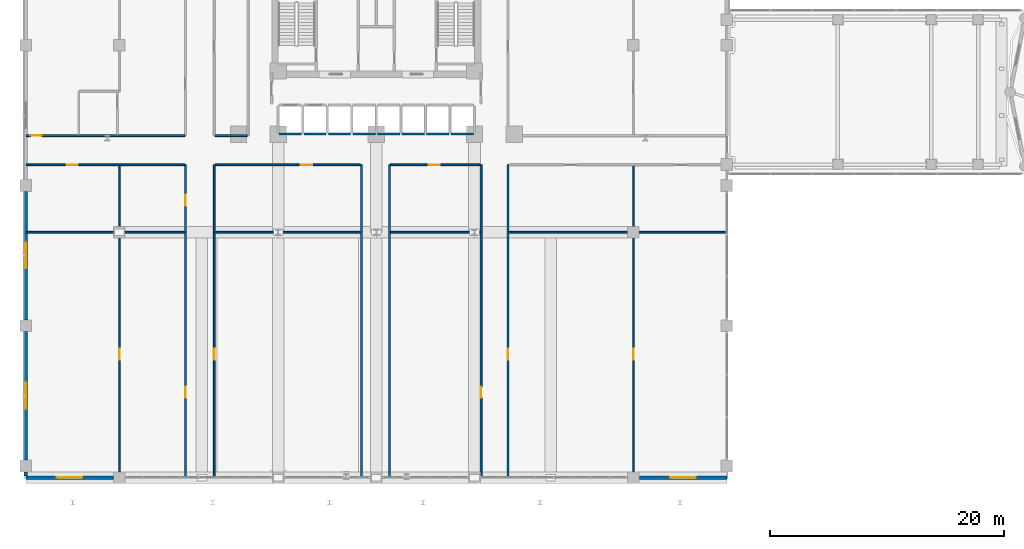
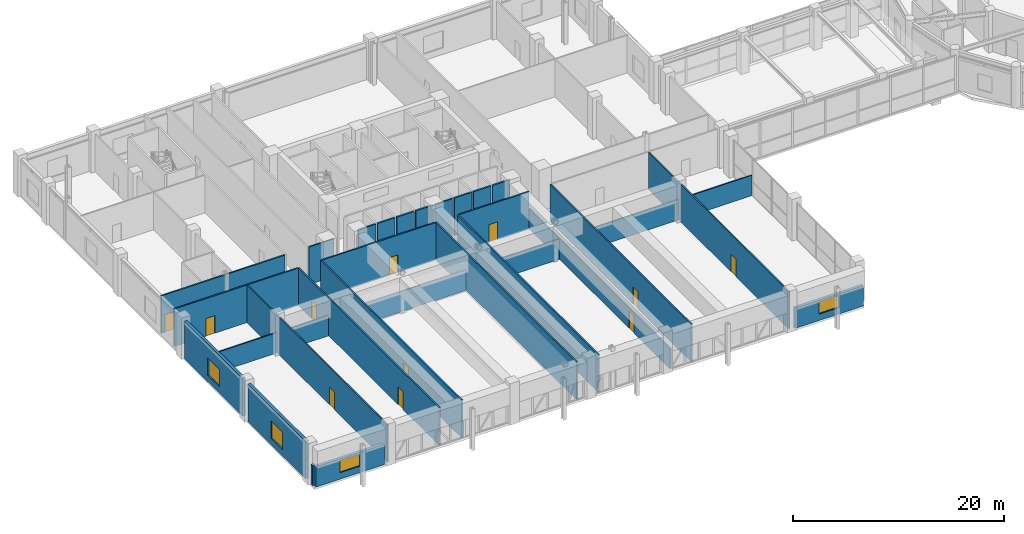
# One storey, part 30 of 44: 30 walls, 11 doors, 4 windows, 15 openings.
"""IFC4 building model written with IfcOpenShell, lengths in metres."""

from ifc_helpers import new_model, si_unit, derived_unit, direction, frame, frame_2d, origin, place, context, subcontext, project, spatial, rectangle, extrude, material, layer, layer_set, type_object, element, fill, save


model = new_model("IFC4")

# Units and contexts
model_context = context("Model", 3, precision=1e-05, world=origin(), true_north=direction((0.0, 1.0)))
body_context = subcontext(model_context, "Body", "Model", "MODEL_VIEW")
ifc_project = project(units=[si_unit("LENGTHUNIT", "METRE"), si_unit("AREAUNIT", "SQUARE_METRE"), si_unit("VOLUMEUNIT", "CUBIC_METRE"), si_unit("PLANEANGLEUNIT", "RADIAN"), si_unit("MASSUNIT", "GRAM", prefix="KILO"), derived_unit("THERMALTRANSMITTANCEUNIT", [(si_unit("POWERUNIT", "WATT"), 1), (si_unit("LENGTHUNIT", "METRE"), -2), (si_unit("THERMODYNAMICTEMPERATUREUNIT", "KELVIN"), -1)])], contexts=[model_context])

# Site, building, storey
site_placement = place(None, origin())
site = spatial("IfcSite", under=ifc_project, at=site_placement, CompositionType="ELEMENT")
building_placement = place(site_placement, origin())
building = spatial("IfcBuilding", under=site, at=building_placement, Name="Korsvarv Bourse and Concert Hall", CompositionType="ELEMENT")
storey_placement = place(building_placement, frame((0.0, 0.0, 9.60009765625)))
storey = spatial("IfcBuildingStorey", under=building, at=storey_placement, Name="L02", CompositionType="ELEMENT", Elevation=9.60009765625)

# Wall, opening, window
ifc_material_1 = material(Name="Precast concrete C45/55 with granite and terracotta", Category="concrete")
ifc_layer_1 = layer(ifc_material_1, 0.320068359375)
ifc_layer_set_1 = layer_set([ifc_layer_1], Name="Precast concrete C45/55 with granite and terracotta")
wall_type_1 = type_object("IfcWallType", Name="WL-EXT-POD", PredefinedType="SOLIDWALL", material=ifc_layer_set_1)
wall_1_placement = place(storey_placement, frame((6.0, 3.0, 0.0), z_axis=(0.0, 0.0, 1.0), x_axis=(1.0, 0.0, 0.0)))
wall_1 = element("IfcWall", 1, at=wall_1_placement, inside=storey, type_object=wall_type_1, Name="L02 terracotta exterior wall EW-L02-S1", PredefinedType="SOLIDWALL", context=body_context, shape_type="SweptSolid", body=[
    extrude(rectangle(XDim=7.4951171875, YDim=0.320068359375, at=frame_2d((3.74755859375, 0.0))), origin(), (0.0, 0.0, 1.0), 2.349853515625),
])
opening_1_placement = place(wall_1_placement, frame((2.6474609375, 0.0, 0.75)))
opening_1 = element("IfcOpeningElement", 2, at=opening_1_placement, cuts=wall_1, Name="Opening W-05", PredefinedType="OPENING", context=body_context, shape_type="SweptSolid", body=[
    extrude(rectangle(XDim=2.199951171875, YDim=1.39990234375, at=frame_2d((1.10009765625, 0.699951171875))), frame((0.0, 0.169921875, 0.0), z_axis=(0.0, -1.0, 0.0), x_axis=(1.0, 0.0, 0.0)), (0.0, 0.0, 1.0), 0.340087890625),
])
ifc_material_2 = material(Name="Thermally broken aluminium frame with triple low-E glass", Category="glass")
window_type_1 = type_object("IfcWindowType", Name="WIN-POD1-2200X1400", PartitioningType="SINGLE_PANEL", PredefinedType="WINDOW", material=ifc_material_2)
window_1_placement = place(opening_1_placement, origin())
window_1 = element("IfcWindow", 3, at=window_1_placement, inside=storey, type_object=window_type_1, Name="L02 punched facade window W-05", OverallHeight=1.39990234375, OverallWidth=2.199951171875, PartitioningType="SINGLE_PANEL", PredefinedType="WINDOW", context=body_context, shape_type="SweptSolid", body=[
    extrude(rectangle(XDim=2.199951171875, YDim=1.39990234375, at=frame_2d((1.10009765625, 0.699951171875))), frame((0.0, 0.030029296875, 0.0), z_axis=(0.0, -1.0, 0.0), x_axis=(1.0, 0.0, 0.0)), (0.0, 0.0, 1.0), 0.06005859375),
])
fill(opening_1, window_1)

wall_2_placement = place(storey_placement, frame((58.5048828125, 3.0, 0.0), z_axis=(0.0, 0.0, 1.0), x_axis=(1.0, 0.0, 0.0)))
wall_2 = element("IfcWall", 4, at=wall_2_placement, inside=storey, type_object=wall_type_1, Name="L02 terracotta exterior wall EW-L02-S6", PredefinedType="SOLIDWALL", context=body_context, shape_type="SweptSolid", body=[
    extrude(rectangle(XDim=7.4951171875, YDim=0.320068359375, at=frame_2d((3.74755859375, 0.0))), origin(), (0.0, 0.0, 1.0), 2.349853515625),
])
opening_2_placement = place(wall_2_placement, frame((2.6474609375, 0.0, 0.75)))
opening_2 = element("IfcOpeningElement", 5, at=opening_2_placement, cuts=wall_2, Name="Opening W-05", PredefinedType="OPENING", context=body_context, shape_type="SweptSolid", body=[
    extrude(rectangle(XDim=2.199951171875, YDim=1.39990234375, at=frame_2d((1.10009765625, 0.699951171875))), frame((0.0, 0.169921875, 0.0), z_axis=(0.0, -1.0, 0.0), x_axis=(1.0, 0.0, 0.0)), (0.0, 0.0, 1.0), 0.340087890625),
])
window_2_placement = place(opening_2_placement, origin())
window_2 = element("IfcWindow", 6, at=window_2_placement, inside=storey, type_object=window_type_1, Name="L02 punched facade window W-05", OverallHeight=1.39990234375, OverallWidth=2.199951171875, PartitioningType="SINGLE_PANEL", PredefinedType="WINDOW", context=body_context, shape_type="SweptSolid", body=[
    extrude(rectangle(XDim=2.199951171875, YDim=1.39990234375, at=frame_2d((1.10009765625, 0.699951171875))), frame((0.0, 0.030029296875, 0.0), z_axis=(0.0, -1.0, 0.0), x_axis=(1.0, 0.0, 0.0)), (0.0, 0.0, 1.0), 0.06005859375),
])
fill(opening_2, window_2)

# Wall
wall_3_placement = place(storey_placement, frame((6.0, 3.159912109375, 0.0), z_axis=(0.0, 0.0, 1.0), x_axis=(0.0, 1.0, 0.0)))
element("IfcWall", 7, at=wall_3_placement, inside=storey, type_object=wall_type_1, Name="L02 terracotta exterior wall EW-L02-W1-1", PredefinedType="SOLIDWALL", context=body_context, shape_type="SweptSolid", body=[
    extrude(rectangle(XDim=0.335205078125, YDim=0.320068359375, at=frame_2d((0.16748046875, 0.0))), origin(), (0.0, 0.0, 1.0), 2.349853515625),
])

# Wall, opening, window
wall_4_placement = place(storey_placement, frame((6.0, 4.5048828125, 0.0), z_axis=(0.0, 0.0, 1.0), x_axis=(0.0, 1.0, 0.0)))
wall_4 = element("IfcWall", 8, at=wall_4_placement, inside=storey, type_object=wall_type_1, Name="L02 terracotta exterior wall EW-L02-W1-2", PredefinedType="SOLIDWALL", context=body_context, shape_type="SweptSolid", body=[
    extrude(rectangle(XDim=10.990234375, YDim=0.320068359375, at=frame_2d((5.4951171875, 0.0))), origin(), (0.0, 0.0, 1.0), 4.349853515625),
])
opening_3_placement = place(wall_4_placement, frame((4.39501953125, 0.0, 0.75)))
opening_3 = element("IfcOpeningElement", 9, at=opening_3_placement, cuts=wall_4, Name="Opening W-03", PredefinedType="OPENING", context=body_context, shape_type="SweptSolid", body=[
    extrude(rectangle(XDim=2.199951171875, YDim=2.0, at=frame_2d((1.10009765625, 1.0))), frame((0.0, 0.169921875, 0.0), z_axis=(0.0, -1.0, 0.0), x_axis=(1.0, 0.0, 0.0)), (0.0, 0.0, 1.0), 0.340087890625),
])
window_type_2 = type_object("IfcWindowType", Name="WIN-POD1", PartitioningType="SINGLE_PANEL", PredefinedType="WINDOW", material=ifc_material_2)
window_3_placement = place(opening_3_placement, origin())
window_3 = element("IfcWindow", 10, at=window_3_placement, inside=storey, type_object=window_type_2, Name="L02 punched facade window W-03", OverallHeight=2.0, OverallWidth=2.199951171875, PartitioningType="SINGLE_PANEL", PredefinedType="WINDOW", context=body_context, shape_type="SweptSolid", body=[
    extrude(rectangle(XDim=2.199951171875, YDim=2.0, at=frame_2d((1.10009765625, 1.0))), frame((0.0, 0.030029296875, 0.0), z_axis=(0.0, -1.0, 0.0), x_axis=(1.0, 0.0, 0.0)), (0.0, 0.0, 1.0), 0.06005859375),
])
fill(opening_3, window_3)

wall_5_placement = place(storey_placement, frame((6.0, 16.5048828125, 0.0), z_axis=(0.0, 0.0, 1.0), x_axis=(0.0, 1.0, 0.0)))
wall_5 = element("IfcWall", 11, at=wall_5_placement, inside=storey, type_object=wall_type_1, Name="L02 terracotta exterior wall EW-L02-W2", PredefinedType="SOLIDWALL", context=body_context, shape_type="SweptSolid", body=[
    extrude(rectangle(XDim=10.990234375, YDim=0.320068359375, at=frame_2d((5.4951171875, 0.0))), origin(), (0.0, 0.0, 1.0), 4.349853515625),
])
opening_4_placement = place(wall_5_placement, frame((4.39501953125, 0.0, 0.75)))
opening_4 = element("IfcOpeningElement", 12, at=opening_4_placement, cuts=wall_5, Name="Opening W-03", PredefinedType="OPENING", context=body_context, shape_type="SweptSolid", body=[
    extrude(rectangle(XDim=2.199951171875, YDim=2.0, at=frame_2d((1.10009765625, 1.0))), frame((0.0, 0.169921875, 0.0), z_axis=(0.0, -1.0, 0.0), x_axis=(1.0, 0.0, 0.0)), (0.0, 0.0, 1.0), 0.340087890625),
])
window_4_placement = place(opening_4_placement, origin())
window_4 = element("IfcWindow", 13, at=window_4_placement, inside=storey, type_object=window_type_2, Name="L02 punched facade window W-03", OverallHeight=2.0, OverallWidth=2.199951171875, PartitioningType="SINGLE_PANEL", PredefinedType="WINDOW", context=body_context, shape_type="SweptSolid", body=[
    extrude(rectangle(XDim=2.199951171875, YDim=2.0, at=frame_2d((1.10009765625, 1.0))), frame((0.0, 0.030029296875, 0.0), z_axis=(0.0, -1.0, 0.0), x_axis=(1.0, 0.0, 0.0)), (0.0, 0.0, 1.0), 0.06005859375),
])
fill(opening_4, window_4)

# Wall, opening, door
ifc_material_3 = material(Name="Double-stud fire-rated acoustic partition", Category="gypsum")
ifc_layer_2 = layer(ifc_material_3, 0.159912109375)
ifc_layer_set_2 = layer_set([ifc_layer_2], Name="Double-stud fire-rated acoustic partition")
wall_type_2 = type_object("IfcWallType", Name="WL-INT-EI60", PredefinedType="PARTITIONING", material=ifc_layer_set_2)
wall_6_placement = place(storey_placement, frame((47.27490234375, 3.02001953125, 0.0), z_axis=(0.0, 0.0, 1.0), x_axis=(0.0, 1.0, 0.0)))
wall_6 = element("IfcWall", 14, at=wall_6_placement, inside=storey, type_object=wall_type_2, Name="L02 interior partition wall W-L02-PCOR-01", PredefinedType="PARTITIONING", context=body_context, shape_type="SweptSolid", body=[
    extrude(rectangle(XDim=26.760009765625, YDim=0.159912109375, at=frame_2d((13.3798828125, 0.0))), origin(), (0.0, 0.0, 1.0), 4.349853515625),
])
opening_5_placement = place(wall_6_placement, frame((10.070068359375, 0.0, 0.0)))
opening_5 = element("IfcOpeningElement", 15, at=opening_5_placement, cuts=wall_6, Name="Opening D-02", PredefinedType="OPENING", context=body_context, shape_type="SweptSolid", body=[
    extrude(rectangle(XDim=0.949951171875, YDim=2.050048828125, at=frame_2d((0.47509765625, 1.02490234375))), frame((0.0, 0.08984375, 0.0), z_axis=(0.0, -1.0, 0.0), x_axis=(1.0, 0.0, 0.0)), (0.0, 0.0, 1.0), 0.179931640625),
])
ifc_material_4 = material(Name="Timber and steel acoustic fire door", Category="wood")
door_type_1 = type_object("IfcDoorType", Name="DR-FD30", OperationType="NOTDEFINED", PredefinedType="DOOR", material=ifc_material_4)
door_1_placement = place(opening_5_placement, origin())
door_1 = element("IfcDoor", 16, at=door_1_placement, inside=storey, type_object=door_type_1, Name="L02 interior door DR-L02-PCOR-RM11", OperationType="SINGLE_SWING_LEFT", OverallHeight=2.050048828125, OverallWidth=0.949951171875, PredefinedType="DOOR", context=body_context, shape_type="SweptSolid", body=[
    extrude(rectangle(XDim=0.949951171875, YDim=2.050048828125, at=frame_2d((0.47509765625, 1.02490234375))), frame((0.0, 0.02490234375, 0.0), z_axis=(0.0, -1.0, 0.0), x_axis=(1.0, 0.0, 0.0)), (0.0, 0.0, 1.0), 0.050048828125),
])
fill(opening_5, door_1)

wall_7_placement = place(storey_placement, frame((44.965087890625, 3.02001953125, 0.0), z_axis=(0.0, 0.0, 1.0), x_axis=(0.0, 1.0, 0.0)))
wall_7 = element("IfcWall", 17, at=wall_7_placement, inside=storey, type_object=wall_type_2, Name="L02 interior partition wall W-L02-PCOR-02", PredefinedType="PARTITIONING", context=body_context, shape_type="SweptSolid", body=[
    extrude(rectangle(XDim=26.760009765625, YDim=0.159912109375, at=frame_2d((13.3798828125, 0.0))), origin(), (0.0, 0.0, 1.0), 2.349853515625),
])
opening_6_placement = place(wall_7_placement, frame((6.820068359375, 0.0, 0.0)))
opening_6 = element("IfcOpeningElement", 18, at=opening_6_placement, cuts=wall_7, Name="Opening D-02", PredefinedType="OPENING", context=body_context, shape_type="SweptSolid", body=[
    extrude(rectangle(XDim=0.949951171875, YDim=2.050048828125, at=frame_2d((0.47509765625, 1.02490234375))), frame((0.0, 0.08984375, 0.0), z_axis=(0.0, -1.0, 0.0), x_axis=(1.0, 0.0, 0.0)), (0.0, 0.0, 1.0), 0.179931640625),
])
door_2_placement = place(opening_6_placement, origin())
door_2 = element("IfcDoor", 19, at=door_2_placement, inside=storey, type_object=door_type_1, Name="L02 interior door DR-L02-PCOR-HALL9", OperationType="SINGLE_SWING_RIGHT", OverallHeight=2.050048828125, OverallWidth=0.949951171875, PredefinedType="DOOR", context=body_context, shape_type="SweptSolid", body=[
    extrude(rectangle(XDim=0.949951171875, YDim=2.050048828125, at=frame_2d((0.47509765625, 1.02490234375))), frame((0.0, 0.02490234375, 0.0), z_axis=(0.0, -1.0, 0.0), x_axis=(1.0, 0.0, 0.0)), (0.0, 0.0, 1.0), 0.050048828125),
])
fill(opening_6, door_2)

# Wall
wall_8_placement = place(storey_placement, frame((37.125, 3.02001953125, 0.0), z_axis=(0.0, 0.0, 1.0), x_axis=(0.0, 1.0, 0.0)))
element("IfcWall", 20, at=wall_8_placement, inside=storey, type_object=wall_type_2, Name="L02 interior partition wall W-L02-PCOR-03", PredefinedType="PARTITIONING", context=body_context, shape_type="SweptSolid", body=[
    extrude(rectangle(XDim=26.760009765625, YDim=0.159912109375, at=frame_2d((13.3798828125, 0.0))), origin(), (0.0, 0.0, 1.0), 4.349853515625),
])

# Wall, opening, door
wall_9_placement = place(storey_placement, frame((22.125, 3.02001953125, 0.0), z_axis=(0.0, 0.0, 1.0), x_axis=(0.0, 1.0, 0.0)))
wall_9 = element("IfcWall", 21, at=wall_9_placement, inside=storey, type_object=wall_type_2, Name="L02 interior partition wall W-L02-PCOR-04", PredefinedType="PARTITIONING", context=body_context, shape_type="SweptSolid", body=[
    extrude(rectangle(XDim=26.760009765625, YDim=0.159912109375, at=frame_2d((13.3798828125, 0.0))), origin(), (0.0, 0.0, 1.0), 4.349853515625),
])
opening_7_placement = place(wall_9_placement, frame((10.070068359375, 0.0, 0.0)))
opening_7 = element("IfcOpeningElement", 22, at=opening_7_placement, cuts=wall_9, Name="Opening D-02", PredefinedType="OPENING", context=body_context, shape_type="SweptSolid", body=[
    extrude(rectangle(XDim=0.949951171875, YDim=2.050048828125, at=frame_2d((0.47509765625, 1.02490234375))), frame((0.0, 0.08984375, 0.0), z_axis=(0.0, -1.0, 0.0), x_axis=(1.0, 0.0, 0.0)), (0.0, 0.0, 1.0), 0.179931640625),
])
door_3_placement = place(opening_7_placement, origin())
door_3 = element("IfcDoor", 23, at=door_3_placement, inside=storey, type_object=door_type_1, Name="L02 interior door DR-L02-PCOR-RM1212", OperationType="SINGLE_SWING_LEFT", OverallHeight=2.050048828125, OverallWidth=0.949951171875, PredefinedType="DOOR", context=body_context, shape_type="SweptSolid", body=[
    extrude(rectangle(XDim=0.949951171875, YDim=2.050048828125, at=frame_2d((0.47509765625, 1.02490234375))), frame((0.0, 0.02490234375, 0.0), z_axis=(0.0, -1.0, 0.0), x_axis=(1.0, 0.0, 0.0)), (0.0, 0.0, 1.0), 0.050048828125),
])
fill(opening_7, door_3)

# Wall
wall_10_placement = place(storey_placement, frame((34.72509765625, 3.02001953125, 0.0), z_axis=(0.0, 0.0, 1.0), x_axis=(0.0, 1.0, 0.0)))
element("IfcWall", 24, at=wall_10_placement, inside=storey, type_object=wall_type_2, Name="L02 interior partition wall W-L02-PCOR-05", PredefinedType="PARTITIONING", context=body_context, shape_type="SweptSolid", body=[
    extrude(rectangle(XDim=26.760009765625, YDim=0.159912109375, at=frame_2d((13.3798828125, 0.0))), origin(), (0.0, 0.0, 1.0), 4.349853515625),
])

# Wall, openings, doors
wall_11_placement = place(storey_placement, frame((19.6650390625, 3.02001953125, 0.0), z_axis=(0.0, 0.0, 1.0), x_axis=(0.0, 1.0, 0.0)))
wall_11 = element("IfcWall", 25, at=wall_11_placement, inside=storey, type_object=wall_type_2, Name="L02 interior partition wall W-L02-PCOR-06", PredefinedType="PARTITIONING", context=body_context, shape_type="SweptSolid", body=[
    extrude(rectangle(XDim=26.760009765625, YDim=0.159912109375, at=frame_2d((13.3798828125, 0.0))), origin(), (0.0, 0.0, 1.0), 4.349853515625),
])
opening_8_placement = place(wall_11_placement, frame((6.820068359375, 0.0, 0.0)))
opening_8 = element("IfcOpeningElement", 26, at=opening_8_placement, cuts=wall_11, Name="Opening D-02", PredefinedType="OPENING", context=body_context, shape_type="SweptSolid", body=[
    extrude(rectangle(XDim=0.949951171875, YDim=2.050048828125, at=frame_2d((0.47509765625, 1.02490234375))), frame((0.0, 0.08984375, 0.0), z_axis=(0.0, -1.0, 0.0), x_axis=(1.0, 0.0, 0.0)), (0.0, 0.0, 1.0), 0.179931640625),
])
opening_9_placement = place(wall_11_placement, frame((23.237548828125, 0.0, 0.0)))
opening_9 = element("IfcOpeningElement", 27, at=opening_9_placement, cuts=wall_11, Name="Opening D-02", PredefinedType="OPENING", context=body_context, shape_type="SweptSolid", body=[
    extrude(rectangle(XDim=0.949951171875, YDim=2.050048828125, at=frame_2d((0.47509765625, 1.02490234375))), frame((0.0, 0.08984375, 0.0), z_axis=(0.0, -1.0, 0.0), x_axis=(1.0, 0.0, 0.0)), (0.0, 0.0, 1.0), 0.179931640625),
])
door_4_placement = place(opening_8_placement, origin())
door_4 = element("IfcDoor", 28, at=door_4_placement, inside=storey, type_object=door_type_1, Name="L02 interior door DR-L02-PCOR-RM1717", OperationType="SINGLE_SWING_RIGHT", OverallHeight=2.050048828125, OverallWidth=0.949951171875, PredefinedType="DOOR", context=body_context, shape_type="SweptSolid", body=[
    extrude(rectangle(XDim=0.949951171875, YDim=2.050048828125, at=frame_2d((0.47509765625, 1.02490234375))), frame((0.0, 0.02490234375, 0.0), z_axis=(0.0, -1.0, 0.0), x_axis=(1.0, 0.0, 0.0)), (0.0, 0.0, 1.0), 0.050048828125),
])
fill(opening_8, door_4)
door_5_placement = place(opening_9_placement, origin())
door_5 = element("IfcDoor", 29, at=door_5_placement, inside=storey, type_object=door_type_1, Name="L02 interior door DR-L02-PCOR-RM1919", OperationType="SINGLE_SWING_LEFT", OverallHeight=2.050048828125, OverallWidth=0.949951171875, PredefinedType="DOOR", context=body_context, shape_type="SweptSolid", body=[
    extrude(rectangle(XDim=0.949951171875, YDim=2.050048828125, at=frame_2d((0.47509765625, 1.02490234375))), frame((0.0, 0.02490234375, 0.0), z_axis=(0.0, -1.0, 0.0), x_axis=(1.0, 0.0, 0.0)), (0.0, 0.0, 1.0), 0.050048828125),
])
fill(opening_9, door_5)

# Wall, opening, door
wall_12_placement = place(storey_placement, frame((6.02001953125, 32.27490234375, 0.0), z_axis=(0.0, 0.0, 1.0), x_axis=(1.0, 0.0, 0.0)))
wall_12 = element("IfcWall", 30, at=wall_12_placement, inside=storey, type_object=wall_type_2, Name="L02 interior partition wall W-L02-PCOR-13", PredefinedType="PARTITIONING", context=body_context, shape_type="SweptSolid", body=[
    extrude(rectangle(XDim=13.56298828125, YDim=0.159912109375, at=frame_2d((6.781494140625, 0.0))), origin(), (0.0, 0.0, 1.0), 4.349853515625),
])
opening_10_placement = place(wall_12_placement, frame((0.3798828125, 0.0, 0.0)))
opening_10 = element("IfcOpeningElement", 31, at=opening_10_placement, cuts=wall_12, Name="Opening D-02", PredefinedType="OPENING", context=body_context, shape_type="SweptSolid", body=[
    extrude(rectangle(XDim=0.949951171875, YDim=2.050048828125, at=frame_2d((0.47509765625, 1.02490234375))), frame((0.0, 0.08984375, 0.0), z_axis=(0.0, -1.0, 0.0), x_axis=(1.0, 0.0, 0.0)), (0.0, 0.0, 1.0), 0.179931640625),
])
door_6_placement = place(opening_10_placement, origin())
door_6 = element("IfcDoor", 32, at=door_6_placement, inside=storey, type_object=door_type_1, Name="L02 interior door DR-L02-PCOR-RM2020", OperationType="SINGLE_SWING_LEFT", OverallHeight=2.050048828125, OverallWidth=0.949951171875, PredefinedType="DOOR", context=body_context, shape_type="SweptSolid", body=[
    extrude(rectangle(XDim=0.949951171875, YDim=2.050048828125, at=frame_2d((0.47509765625, 1.02490234375))), frame((0.0, 0.02490234375, 0.0), z_axis=(0.0, -1.0, 0.0), x_axis=(1.0, 0.0, 0.0)), (0.0, 0.0, 1.0), 0.050048828125),
])
fill(opening_10, door_6)

wall_13_placement = place(storey_placement, frame((6.02001953125, 29.77490234375, 0.0), z_axis=(0.0, 0.0, 1.0), x_axis=(1.0, 0.0, 0.0)))
wall_13 = element("IfcWall", 33, at=wall_13_placement, inside=storey, type_object=wall_type_2, Name="L02 interior partition wall W-L02-PCOR-14", PredefinedType="PARTITIONING", context=body_context, shape_type="SweptSolid", body=[
    extrude(rectangle(XDim=13.56298828125, YDim=0.159912109375, at=frame_2d((6.781494140625, 0.0))), origin(), (0.0, 0.0, 1.0), 4.349853515625),
])
opening_11_placement = place(wall_13_placement, frame((3.465087890625, 0.0, 0.0)))
opening_11 = element("IfcOpeningElement", 34, at=opening_11_placement, cuts=wall_13, Name="Opening D-02", PredefinedType="OPENING", context=body_context, shape_type="SweptSolid", body=[
    extrude(rectangle(XDim=0.949951171875, YDim=2.050048828125, at=frame_2d((0.47509765625, 1.02490234375))), frame((0.0, 0.08984375, 0.0), z_axis=(0.0, -1.0, 0.0), x_axis=(1.0, 0.0, 0.0)), (0.0, 0.0, 1.0), 0.179931640625),
])
door_7_placement = place(opening_11_placement, origin())
door_7 = element("IfcDoor", 35, at=door_7_placement, inside=storey, type_object=door_type_1, Name="L02 interior door DR-L02-PCOR-RM1818", OperationType="SINGLE_SWING_RIGHT", OverallHeight=2.050048828125, OverallWidth=0.949951171875, PredefinedType="DOOR", context=body_context, shape_type="SweptSolid", body=[
    extrude(rectangle(XDim=0.949951171875, YDim=2.050048828125, at=frame_2d((0.47509765625, 1.02490234375))), frame((0.0, 0.02490234375, 0.0), z_axis=(0.0, -1.0, 0.0), x_axis=(1.0, 0.0, 0.0)), (0.0, 0.0, 1.0), 0.050048828125),
])
fill(opening_11, door_7)

wall_14_placement = place(storey_placement, frame((22.20703125, 29.77490234375, 0.0), z_axis=(0.0, 0.0, 1.0), x_axis=(1.0, 0.0, 0.0)))
wall_14 = element("IfcWall", 36, at=wall_14_placement, inside=storey, type_object=wall_type_2, Name="L02 interior partition wall W-L02-PCOR-15", PredefinedType="PARTITIONING", context=body_context, shape_type="SweptSolid", body=[
    extrude(rectangle(XDim=12.43603515625, YDim=0.159912109375, at=frame_2d((6.218017578125, 0.0))), origin(), (0.0, 0.0, 1.0), 4.349853515625),
])
opening_12_placement = place(wall_14_placement, frame((7.337890625, 0.0, 0.0)))
opening_12 = element("IfcOpeningElement", 37, at=opening_12_placement, cuts=wall_14, Name="Opening D-02", PredefinedType="OPENING", context=body_context, shape_type="SweptSolid", body=[
    extrude(rectangle(XDim=0.949951171875, YDim=2.050048828125, at=frame_2d((0.47509765625, 1.02490234375))), frame((0.0, 0.08984375, 0.0), z_axis=(0.0, -1.0, 0.0), x_axis=(1.0, 0.0, 0.0)), (0.0, 0.0, 1.0), 0.179931640625),
])
door_8_placement = place(opening_12_placement, origin())
door_8 = element("IfcDoor", 38, at=door_8_placement, inside=storey, type_object=door_type_1, Name="L02 interior door DR-L02-PCOR-RM1313", OperationType="SINGLE_SWING_LEFT", OverallHeight=2.050048828125, OverallWidth=0.949951171875, PredefinedType="DOOR", context=body_context, shape_type="SweptSolid", body=[
    extrude(rectangle(XDim=0.949951171875, YDim=2.050048828125, at=frame_2d((0.47509765625, 1.02490234375))), frame((0.0, 0.02490234375, 0.0), z_axis=(0.0, -1.0, 0.0), x_axis=(1.0, 0.0, 0.0)), (0.0, 0.0, 1.0), 0.050048828125),
])
fill(opening_12, door_8)

wall_15_placement = place(storey_placement, frame((37.20703125, 29.77490234375, 0.0), z_axis=(0.0, 0.0, 1.0), x_axis=(1.0, 0.0, 0.0)))
wall_15 = element("IfcWall", 39, at=wall_15_placement, inside=storey, type_object=wall_type_2, Name="L02 interior partition wall W-L02-PCOR-18", PredefinedType="PARTITIONING", context=body_context, shape_type="SweptSolid", body=[
    extrude(rectangle(XDim=7.676025390625, YDim=0.159912109375, at=frame_2d((3.837890625, 0.0))), origin(), (0.0, 0.0, 1.0), 4.349853515625),
])
opening_13_placement = place(wall_15_placement, frame((3.258056640625, 0.0, 0.0)))
opening_13 = element("IfcOpeningElement", 40, at=opening_13_placement, cuts=wall_15, Name="Opening D-02", PredefinedType="OPENING", context=body_context, shape_type="SweptSolid", body=[
    extrude(rectangle(XDim=0.949951171875, YDim=2.050048828125, at=frame_2d((0.47509765625, 1.02490234375))), frame((0.0, 0.08984375, 0.0), z_axis=(0.0, -1.0, 0.0), x_axis=(1.0, 0.0, 0.0)), (0.0, 0.0, 1.0), 0.179931640625),
])
door_9_placement = place(opening_13_placement, origin())
door_9 = element("IfcDoor", 41, at=door_9_placement, inside=storey, type_object=door_type_1, Name="L02 interior door DR-L02-PCOR-MID10", OperationType="SINGLE_SWING_LEFT", OverallHeight=2.050048828125, OverallWidth=0.949951171875, PredefinedType="DOOR", context=body_context, shape_type="SweptSolid", body=[
    extrude(rectangle(XDim=0.949951171875, YDim=2.050048828125, at=frame_2d((0.47509765625, 1.02490234375))), frame((0.0, 0.02490234375, 0.0), z_axis=(0.0, -1.0, 0.0), x_axis=(1.0, 0.0, 0.0)), (0.0, 0.0, 1.0), 0.050048828125),
])
fill(opening_13, door_9)

# Walls
wall_16_placement = place(storey_placement, frame((22.20703125, 32.27490234375, 0.0), z_axis=(0.0, 0.0, 1.0), x_axis=(1.0, 0.0, 0.0)))
element("IfcWall", 42, at=wall_16_placement, inside=storey, type_object=wall_type_2, Name="L02 interior partition wall W-L02-PCOR-21", PredefinedType="PARTITIONING", context=body_context, shape_type="SweptSolid", body=[
    extrude(rectangle(XDim=2.736083984375, YDim=0.159912109375, at=frame_2d((1.3681640625, 0.0))), origin(), (0.0, 0.0, 1.0), 4.349853515625),
])
ifc_material_5 = material(Name="Gypsum-clad autoclaved concrete shaft wall C30/37", Category="concrete")
ifc_layer_3 = layer(ifc_material_5, 0.179931640625)
ifc_layer_set_3 = layer_set([ifc_layer_3], Name="Gypsum-clad autoclaved concrete shaft wall C30/37")
wall_type_3 = type_object("IfcWallType", Name="WL-INT-EI90", PredefinedType="PARTITIONING", material=ifc_layer_set_3)
wall_17_placement = place(storey_placement, frame((27.68994140625, 32.39990234375, 0.0), z_axis=(0.0, 0.0, 1.0), x_axis=(1.0, 0.0, 0.0)))
element("IfcWall", 43, at=wall_17_placement, inside=storey, type_object=wall_type_3, Name="L02 interior partition wall W-L02-SHFS-PL1", PredefinedType="PARTITIONING", context=body_context, shape_type="SweptSolid", body=[
    extrude(rectangle(XDim=1.920166015625, YDim=0.179931640625, at=frame_2d((0.9599609375, 0.0))), origin(), (0.0, 0.0, 1.0), 4.349853515625),
])
wall_18_placement = place(storey_placement, frame((29.7900390625, 32.39990234375, 0.0), z_axis=(0.0, 0.0, 1.0), x_axis=(1.0, 0.0, 0.0)))
element("IfcWall", 44, at=wall_18_placement, inside=storey, type_object=wall_type_3, Name="L02 interior partition wall W-L02-SHFS-PL2", PredefinedType="PARTITIONING", context=body_context, shape_type="SweptSolid", body=[
    extrude(rectangle(XDim=1.919921875, YDim=0.179931640625, at=frame_2d((0.9599609375, 0.0))), origin(), (0.0, 0.0, 1.0), 4.349853515625),
])
wall_19_placement = place(storey_placement, frame((31.889892578125, 32.39990234375, 0.0), z_axis=(0.0, 0.0, 1.0), x_axis=(1.0, 0.0, 0.0)))
element("IfcWall", 45, at=wall_19_placement, inside=storey, type_object=wall_type_3, Name="L02 interior partition wall W-L02-SHFS-PM1", PredefinedType="PARTITIONING", context=body_context, shape_type="SweptSolid", body=[
    extrude(rectangle(XDim=1.920166015625, YDim=0.179931640625, at=frame_2d((0.9599609375, 0.0))), origin(), (0.0, 0.0, 1.0), 4.349853515625),
])
for number, where, z_axis, x_axis, name in (
    (46, (33.989990234375, 32.39990234375, 0.0), (0.0, 0.0, 1.0), (1.0, 0.0, 0.0), "L02 interior partition wall W-L02-SHFS-PM2"),
    (47, (36.090087890625, 32.39990234375, 0.0), (0.0, 0.0, 1.0), (1.0, 0.0, 0.0), "L02 interior partition wall W-L02-SHFS-PH1"),
):
    element("IfcWall", number, at=place(storey_placement, frame(where, z_axis=z_axis, x_axis=x_axis)), inside=storey, type_object=wall_type_3, Name=name, PredefinedType="PARTITIONING", context=body_context, shape_type="SweptSolid", body=[
        extrude(rectangle(XDim=1.919921875, YDim=0.179931640625, at=frame_2d((0.9599609375, 0.0))), origin(), (0.0, 0.0, 1.0), 4.349853515625),
    ])
wall_20_placement = place(storey_placement, frame((38.18994140625, 32.39990234375, 0.0), z_axis=(0.0, 0.0, 1.0), x_axis=(1.0, 0.0, 0.0)))
element("IfcWall", 48, at=wall_20_placement, inside=storey, type_object=wall_type_3, Name="L02 interior partition wall W-L02-SHFS-PH2", PredefinedType="PARTITIONING", context=body_context, shape_type="SweptSolid", body=[
    extrude(rectangle(XDim=1.920166015625, YDim=0.179931640625, at=frame_2d((0.9599609375, 0.0))), origin(), (0.0, 0.0, 1.0), 4.349853515625),
])
wall_21_placement = place(storey_placement, frame((40.2900390625, 32.39990234375, 0.0), z_axis=(0.0, 0.0, 1.0), x_axis=(1.0, 0.0, 0.0)))
element("IfcWall", 49, at=wall_21_placement, inside=storey, type_object=wall_type_3, Name="L02 interior partition wall W-L02-SHFS-PO1", PredefinedType="PARTITIONING", context=body_context, shape_type="SweptSolid", body=[
    extrude(rectangle(XDim=1.919921875, YDim=0.179931640625, at=frame_2d((0.9599609375, 0.0))), origin(), (0.0, 0.0, 1.0), 4.349853515625),
])
wall_22_placement = place(storey_placement, frame((42.389892578125, 32.39990234375, 0.0), z_axis=(0.0, 0.0, 1.0), x_axis=(1.0, 0.0, 0.0)))
element("IfcWall", 50, at=wall_22_placement, inside=storey, type_object=wall_type_3, Name="L02 interior partition wall W-L02-SHFS-PO2", PredefinedType="PARTITIONING", context=body_context, shape_type="SweptSolid", body=[
    extrude(rectangle(XDim=1.920166015625, YDim=0.179931640625, at=frame_2d((0.9599609375, 0.0))), origin(), (0.0, 0.0, 1.0), 4.349853515625),
])

# Wall, opening, door
ifc_material_6 = material(Name="Insulated steel-stud office acoustic partition", Category="gypsum")
ifc_layer_4 = layer(ifc_material_6, 0.139892578125)
ifc_layer_set_4 = layer_set([ifc_layer_4], Name="Insulated steel-stud office acoustic partition")
wall_type_4 = type_object("IfcWallType", Name="WL-INT-P1", PredefinedType="PARTITIONING", material=ifc_layer_set_4)
wall_23_placement = place(storey_placement, frame((58.0048828125, 3.02001953125, 0.0), z_axis=(0.0, 0.0, 1.0), x_axis=(0.0, 1.0, 0.0)))
wall_23 = element("IfcWall", 51, at=wall_23_placement, inside=storey, type_object=wall_type_4, Name="L02 interior partition wall W-L02-PCOR-22", PredefinedType="PARTITIONING", context=body_context, shape_type="SweptSolid", body=[
    extrude(rectangle(XDim=26.673095703125, YDim=0.139892578125, at=frame_2d((13.33642578125, 0.0))), origin(), (0.0, 0.0, 1.0), 4.349853515625),
])
opening_14_placement = place(wall_23_placement, frame((10.070068359375, 0.0, 0.0)))
opening_14 = element("IfcOpeningElement", 52, at=opening_14_placement, cuts=wall_23, Name="Opening D-03", PredefinedType="OPENING", context=body_context, shape_type="SweptSolid", body=[
    extrude(rectangle(XDim=0.949951171875, YDim=2.050048828125, at=frame_2d((0.47509765625, 1.02490234375))), frame((0.0, 0.080078125, 0.0), z_axis=(0.0, -1.0, 0.0), x_axis=(1.0, 0.0, 0.0)), (0.0, 0.0, 1.0), 0.159912109375),
])
ifc_material_7 = material(Name="Nordic oak acoustic office door", Category="wood")
door_type_2 = type_object("IfcDoorType", Name="DR-INT-1", OperationType="NOTDEFINED", PredefinedType="DOOR", material=ifc_material_7)
door_10_placement = place(opening_14_placement, origin())
door_10 = element("IfcDoor", 53, at=door_10_placement, inside=storey, type_object=door_type_2, Name="L02 interior door DR-L02-PCOR-DEAL2", OperationType="SINGLE_SWING_LEFT", OverallHeight=2.050048828125, OverallWidth=0.949951171875, PredefinedType="DOOR", context=body_context, shape_type="SweptSolid", body=[
    extrude(rectangle(XDim=0.949951171875, YDim=2.050048828125, at=frame_2d((0.47509765625, 1.02490234375))), frame((0.0, 0.02490234375, 0.0), z_axis=(0.0, -1.0, 0.0), x_axis=(1.0, 0.0, 0.0)), (0.0, 0.0, 1.0), 0.050048828125),
])
fill(opening_14, door_10)

wall_24_placement = place(storey_placement, frame((14.0048828125, 3.02001953125, 0.0), z_axis=(0.0, 0.0, 1.0), x_axis=(0.0, 1.0, 0.0)))
wall_24 = element("IfcWall", 54, at=wall_24_placement, inside=storey, type_object=wall_type_4, Name="L02 interior partition wall W-L02-PCOR-23", PredefinedType="PARTITIONING", context=body_context, shape_type="SweptSolid", body=[
    extrude(rectangle(XDim=26.673095703125, YDim=0.139892578125, at=frame_2d((13.33642578125, 0.0))), origin(), (0.0, 0.0, 1.0), 4.349853515625),
])
opening_15_placement = place(wall_24_placement, frame((10.070068359375, 0.0, 0.0)))
opening_15 = element("IfcOpeningElement", 55, at=opening_15_placement, cuts=wall_24, Name="Opening D-03", PredefinedType="OPENING", context=body_context, shape_type="SweptSolid", body=[
    extrude(rectangle(XDim=0.949951171875, YDim=2.050048828125, at=frame_2d((0.47509765625, 1.02490234375))), frame((0.0, 0.080078125, 0.0), z_axis=(0.0, -1.0, 0.0), x_axis=(1.0, 0.0, 0.0)), (0.0, 0.0, 1.0), 0.159912109375),
])
door_11_placement = place(opening_15_placement, origin())
door_11 = element("IfcDoor", 56, at=door_11_placement, inside=storey, type_object=door_type_2, Name="L02 interior door DR-L02-PCOR-CLR16", OperationType="SINGLE_SWING_RIGHT", OverallHeight=2.050048828125, OverallWidth=0.949951171875, PredefinedType="DOOR", context=body_context, shape_type="SweptSolid", body=[
    extrude(rectangle(XDim=0.949951171875, YDim=2.050048828125, at=frame_2d((0.47509765625, 1.02490234375))), frame((0.0, 0.02490234375, 0.0), z_axis=(0.0, -1.0, 0.0), x_axis=(1.0, 0.0, 0.0)), (0.0, 0.0, 1.0), 0.050048828125),
])
fill(opening_15, door_11)

# Walls
wall_25_placement = place(storey_placement, frame((47.35693359375, 24.0048828125, 0.0), z_axis=(0.0, 0.0, 1.0), x_axis=(1.0, 0.0, 0.0)))
element("IfcWall", 57, at=wall_25_placement, inside=storey, type_object=wall_type_4, Name="L02 interior partition wall W-L02-PCOR-26", PredefinedType="PARTITIONING", context=body_context, shape_type="SweptSolid", body=[
    extrude(rectangle(XDim=18.623046875, YDim=0.139892578125, at=frame_2d((9.3115234375, 0.0))), origin(), (0.0, 0.0, 1.0), 2.349853515625),
])
wall_26_placement = place(storey_placement, frame((6.02001953125, 24.0048828125, 0.0), z_axis=(0.0, 0.0, 1.0), x_axis=(1.0, 0.0, 0.0)))
element("IfcWall", 58, at=wall_26_placement, inside=storey, type_object=wall_type_4, Name="L02 interior partition wall W-L02-PCOR-28", PredefinedType="PARTITIONING", context=body_context, shape_type="SweptSolid", body=[
    extrude(rectangle(XDim=13.56298828125, YDim=0.139892578125, at=frame_2d((6.781494140625, 0.0))), origin(), (0.0, 0.0, 1.0), 2.349853515625),
])
wall_27_placement = place(storey_placement, frame((22.20703125, 24.0048828125, 0.0), z_axis=(0.0, 0.0, 1.0), x_axis=(1.0, 0.0, 0.0)))
element("IfcWall", 59, at=wall_27_placement, inside=storey, type_object=wall_type_4, Name="L02 interior partition wall W-L02-PCOR-30", PredefinedType="PARTITIONING", context=body_context, shape_type="SweptSolid", body=[
    extrude(rectangle(XDim=12.43603515625, YDim=0.139892578125, at=frame_2d((6.218017578125, 0.0))), origin(), (0.0, 0.0, 1.0), 2.349853515625),
])
wall_28_placement = place(storey_placement, frame((37.20703125, 24.0048828125, 0.0), z_axis=(0.0, 0.0, 1.0), x_axis=(1.0, 0.0, 0.0)))
element("IfcWall", 60, at=wall_28_placement, inside=storey, type_object=wall_type_4, Name="L02 interior partition wall W-L02-PCOR-31", PredefinedType="PARTITIONING", context=body_context, shape_type="SweptSolid", body=[
    extrude(rectangle(XDim=7.676025390625, YDim=0.139892578125, at=frame_2d((3.837890625, 0.0))), origin(), (0.0, 0.0, 1.0), 2.349853515625),
])

save(model, "model.ifc")
